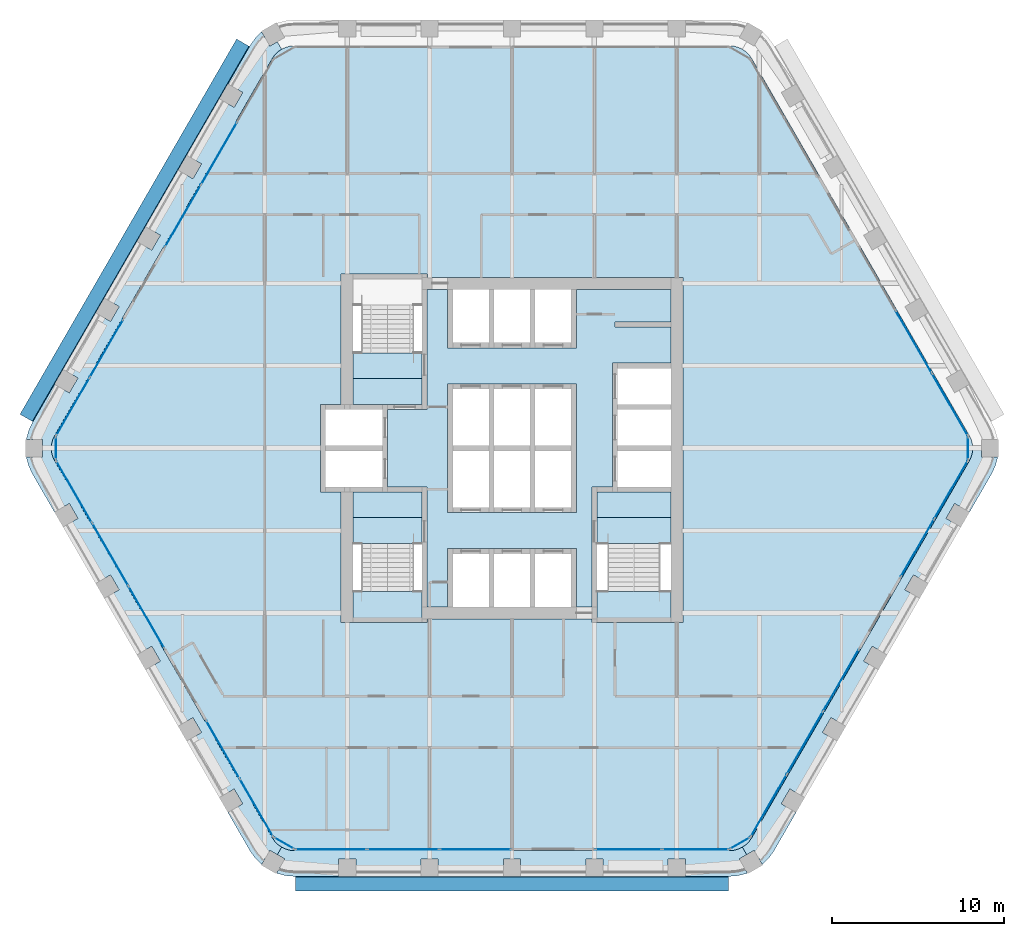
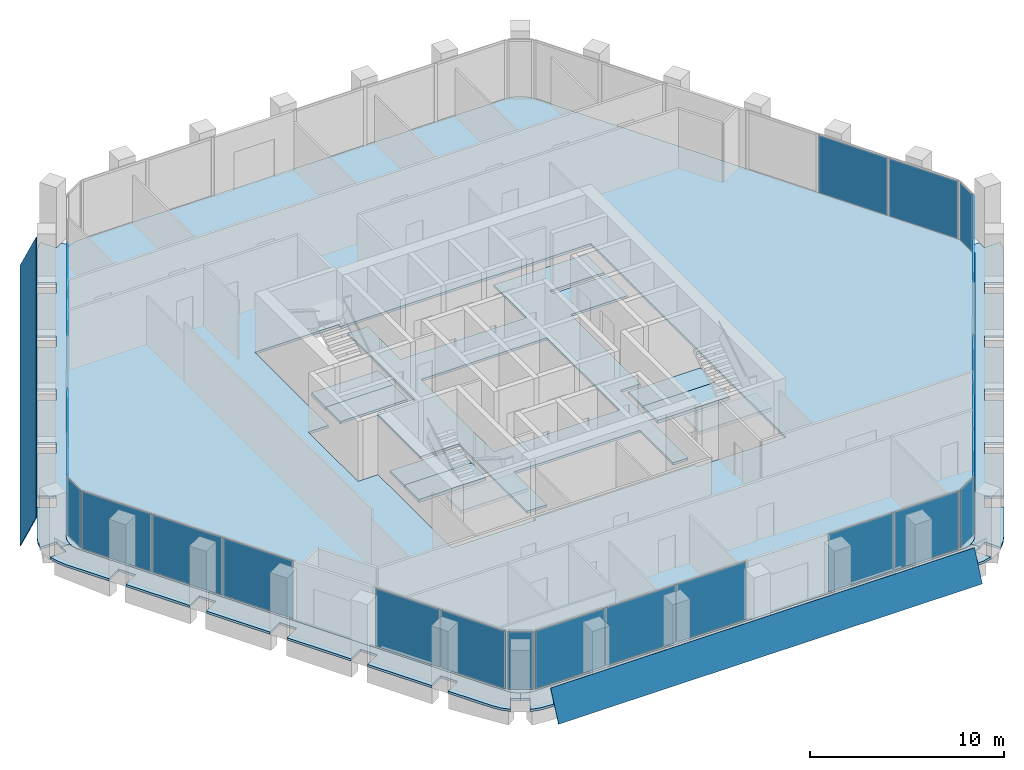
# One storey, part 7 of 15: 27 plates, 14 slabs, 16 elements without a shape of their own.
"""IFC4 building model written with IfcOpenShell, lengths in metres."""

from ifc_helpers import new_model, si_unit, direction, frame, origin, origin_2d, place, context, subcontext, project, spatial, polyline, rectangle, outline, extrude, material, layer, layer_set, type_object, element, aggregate, save


model = new_model("IFC4")

# Units and contexts
model_context = context("Model", 3, precision=1e-05, world=origin(), true_north=direction((0.0, 1.0)))
body_context = subcontext(model_context, "Body", "Model", "MODEL_VIEW")
ifc_project = project(units=[si_unit("LENGTHUNIT", "METRE"), si_unit("AREAUNIT", "SQUARE_METRE"), si_unit("VOLUMEUNIT", "CUBIC_METRE"), si_unit("PLANEANGLEUNIT", "RADIAN"), si_unit("MASSUNIT", "GRAM", prefix="KILO")], contexts=[model_context])

# Site, building, storey
site_placement = place(None, origin())
site = spatial("IfcSite", under=ifc_project, at=site_placement, CompositionType="ELEMENT")
building_placement = place(site_placement, origin())
building = spatial("IfcBuilding", under=site, at=building_placement, Name="Kolab Exchange Tower", CompositionType="ELEMENT")
storey_placement = place(building_placement, frame((0.0, 0.0, 201.199951171875)))
storey = spatial("IfcBuildingStorey", under=building, at=storey_placement, Name="L43", CompositionType="ELEMENT", Elevation=201.199951171875)

# Slabs
ifc_material_1 = material(Name="Concrete C35/45", Category="concrete")
ifc_layer_1 = layer(ifc_material_1, 0.14990234375)
ifc_layer_set_1 = layer_set([ifc_layer_1], Name="Concrete C35/45")
slab_type_1 = type_object("IfcSlabType", Name="FLOOR SLAB 150", PredefinedType="FLOOR", material=ifc_layer_set_1)
slab_1_placement = place(storey_placement, frame((0.0, 0.0, -0.14990234375)))
element("IfcSlab", 1, at=slab_1_placement, inside=storey, type_object=slab_type_1, Name="slab/L43/floor/0", PredefinedType="FLOOR", context=body_context, shape_type="SweptSolid", body=[
    extrude(outline(polyline([(13.967041015625, -22.691650390625), (26.635009765625, -0.75), (26.745361328125, -0.512939453125), (26.81298828125, -0.260498046875), (26.8359375, 0.0), (26.81298828125, 0.260498046875), (26.745361328125, 0.512939453125), (26.635009765625, 0.75), (13.967041015625, 22.691650390625), (13.81689453125, 22.90576171875), (13.632080078125, 23.090576171875), (13.41796875, 23.240478515625), (13.180908203125, 23.35107421875), (12.928466796875, 23.418701171875), (12.66796875, 23.441650390625), (-12.66796875, 23.441650390625), (-12.928466796875, 23.418701171875), (-13.180908203125, 23.35107421875), (-13.41796875, 23.240478515625), (-13.632080078125, 23.090576171875), (-13.81689453125, 22.90576171875), (-13.967041015625, 22.691650390625), (-26.635009765625, 0.75), (-26.745361328125, 0.512939453125), (-26.81298828125, 0.260498046875), (-26.8359375, 0.0), (-26.81298828125, -0.260498046875), (-26.745361328125, -0.512939453125), (-26.635009765625, -0.75), (-13.967041015625, -22.691650390625), (-13.81689453125, -22.90576171875), (-13.632080078125, -23.090576171875), (-13.41796875, -23.240478515625), (-13.180908203125, -23.35107421875), (-12.928466796875, -23.418701171875), (-12.66796875, -23.441650390625), (12.66796875, -23.441650390625), (12.928466796875, -23.418701171875), (13.180908203125, -23.35107421875), (13.41796875, -23.240478515625), (13.632080078125, -23.090576171875), (13.81689453125, -22.90576171875), (13.967041015625, -22.691650390625)]), holes=[polyline([(-9.25, -10.14990234375), (-9.949951171875, -10.14990234375), (-9.949951171875, -2.550048828125), (-10.85009765625, -2.550048828125), (-11.14990234375, -2.550048828125), (-11.14990234375, 2.550048828125), (-10.85009765625, 2.550048828125), (-9.949951171875, 2.550048828125), (-9.949951171875, 10.14990234375), (-9.25, 10.14990234375), (-5.25, 10.14990234375), (-4.949951171875, 10.14990234375), (-4.949951171875, 9.949951171875), (9.25, 9.949951171875), (9.949951171875, 9.949951171875), (9.949951171875, -10.14990234375), (9.25, -10.14990234375), (4.949951171875, -10.14990234375), (4.64990234375, -10.14990234375), (4.64990234375, -9.949951171875), (-4.949951171875, -9.949951171875), (-4.949951171875, -10.14990234375), (-5.25, -10.14990234375), (-9.25, -10.14990234375)])]), origin(), (0.0, 0.0, 1.0), 0.14990234375),
])
slab_2_placement = place(storey_placement, frame((0.0, 0.0, -0.14990234375)))
element("IfcSlab", 2, at=slab_2_placement, inside=storey, type_object=slab_type_1, Name="slab/L43/floor/1", PredefinedType="FLOOR", context=body_context, shape_type="SweptSolid", body=[
    extrude(outline(polyline([(-4.949951171875, 9.25), (-4.949951171875, 2.25), (-5.25, 2.25), (-7.25, 2.25), (-7.25, -2.25), (-5.25, -2.25), (-4.949951171875, -2.25), (-4.949951171875, -9.25), (-3.75, -9.25), (-3.75, -5.85009765625), (-3.449951171875, -5.85009765625), (-1.35009765625, -5.85009765625), (-1.050048828125, -5.85009765625), (1.050048828125, -5.85009765625), (1.35009765625, -5.85009765625), (3.449951171875, -5.85009765625), (3.75, -5.85009765625), (3.75, -9.25), (4.64990234375, -9.25), (4.64990234375, -2.25), (4.949951171875, -2.25), (5.85009765625, -2.25), (5.85009765625, 4.949951171875), (6.14990234375, 4.949951171875), (9.25, 4.949951171875), (9.25, 7.050048828125), (6.0, 7.050048828125), (6.0, 7.35009765625), (9.25, 7.35009765625), (9.25, 9.25), (3.75, 9.25), (3.75, 5.85009765625), (3.449951171875, 5.85009765625), (1.35009765625, 5.85009765625), (1.050048828125, 5.85009765625), (-1.050048828125, 5.85009765625), (-1.35009765625, 5.85009765625), (-3.449951171875, 5.85009765625), (-3.75, 5.85009765625), (-3.75, 9.25), (-4.949951171875, 9.25)]), holes=[polyline([(-3.449951171875, -3.75), (-3.75, -3.75), (-3.75, 3.75), (-3.449951171875, 3.75), (-1.35009765625, 3.75), (-1.050048828125, 3.75), (1.050048828125, 3.75), (1.35009765625, 3.75), (3.449951171875, 3.75), (3.75, 3.75), (3.75, -3.75), (3.449951171875, -3.75), (1.35009765625, -3.75), (1.050048828125, -3.75), (-1.050048828125, -3.75), (-1.35009765625, -3.75), (-3.449951171875, -3.75)])]), origin(), (0.0, 0.0, 1.0), 0.14990234375),
])
slab_3_placement = place(storey_placement, frame((0.0, 0.0, -0.14990234375)))
element("IfcSlab", 3, at=slab_3_placement, inside=storey, type_object=slab_type_1, Name="slab/L43/floor/2", PredefinedType="FLOOR", context=body_context, shape_type="SweptSolid", body=[
    extrude(outline(polyline([(4.949951171875, -4.050048828125), (9.25, -4.050048828125), (9.25, -2.550048828125), (6.14990234375, -2.550048828125), (5.85009765625, -2.550048828125), (4.949951171875, -2.550048828125), (4.949951171875, -4.050048828125)])), origin(), (0.0, 0.0, 1.0), 0.14990234375),
])
slab_4_placement = place(storey_placement, frame((0.0, 0.0, -0.14990234375)))
element("IfcSlab", 4, at=slab_4_placement, inside=storey, type_object=slab_type_1, Name="slab/L43/floor/3", PredefinedType="FLOOR", context=body_context, shape_type="SweptSolid", body=[
    extrude(outline(polyline([(-7.550048828125, -2.550048828125), (-9.25, -2.550048828125), (-9.25, -4.050048828125), (-5.25, -4.050048828125), (-5.25, -2.550048828125), (-7.25, -2.550048828125), (-7.550048828125, -2.550048828125)])), origin(), (0.0, 0.0, 1.0), 0.14990234375),
])
slab_5_placement = place(storey_placement, frame((0.0, 0.0, -0.14990234375)))
element("IfcSlab", 5, at=slab_5_placement, inside=storey, type_object=slab_type_1, Name="slab/L43/floor/4", PredefinedType="FLOOR", context=body_context, shape_type="SweptSolid", body=[
    extrude(outline(polyline([(-9.25, 2.550048828125), (-7.550048828125, 2.550048828125), (-7.25, 2.550048828125), (-5.25, 2.550048828125), (-5.25, 4.050048828125), (-9.25, 4.050048828125), (-9.25, 2.550048828125)])), origin(), (0.0, 0.0, 1.0), 0.14990234375),
])
ifc_layer_2 = layer(ifc_material_1, 0.14990234375)
ifc_layer_set_2 = layer_set([ifc_layer_2], Name="Concrete C35/45")
slab_type_2 = type_object("IfcSlabType", Name="LOGGIA SLAB 150", PredefinedType="FLOOR", material=ifc_layer_set_2)
slab_6_placement = place(storey_placement, frame((0.0, 0.0, -0.14990234375)))
element("IfcSlab", 6, at=slab_6_placement, inside=storey, type_object=slab_type_2, Name="slab/L43/loggia/2-0", PredefinedType="FLOOR", context=body_context, shape_type="SweptSolid", body=[
    extrude(outline(polyline([(15.26611328125, -23.441650390625), (16.550048828125, -21.217529296875), (15.68408203125, -20.717529296875), (16.18408203125, -19.8515625), (17.050048828125, -20.3515625), (18.949951171875, -17.060791015625), (18.083984375, -16.560791015625), (18.583984375, -15.694580078125), (19.449951171875, -16.194580078125), (21.35009765625, -12.90380859375), (20.48388671875, -12.40380859375), (20.98388671875, -11.537841796875), (21.85009765625, -12.037841796875), (23.75, -8.746826171875), (22.884033203125, -8.246826171875), (23.384033203125, -7.380859375), (24.25, -7.880859375), (26.14990234375, -4.58984375), (25.283935546875, -4.08984375), (25.783935546875, -3.223876953125), (26.64990234375, -3.723876953125), (27.93408203125, -1.5), (28.155029296875, -1.026123046875), (28.290283203125, -0.52099609375), (28.292236328125, -0.5), (27.3359375, -0.5), (27.3359375, 0.0), (26.8359375, 0.0), (26.81298828125, -0.260498046875), (26.745361328125, -0.512939453125), (26.635009765625, -0.75), (13.967041015625, -22.691650390625), (13.81689453125, -22.90576171875), (13.632080078125, -23.090576171875), (13.41796875, -23.240478515625), (13.66796875, -23.673583984375), (14.10107421875, -23.423583984375), (14.5791015625, -24.251708984375), (14.59619140625, -24.23974609375), (14.966064453125, -23.869873046875), (15.26611328125, -23.441650390625)])), origin(), (0.0, 0.0, 1.0), 0.14990234375),
])
slab_7_placement = place(storey_placement, frame((0.0, 0.0, -0.14990234375)))
element("IfcSlab", 7, at=slab_7_placement, inside=storey, type_object=slab_type_2, Name="slab/L43/loggia/3-0", PredefinedType="FLOOR", context=body_context, shape_type="SweptSolid", body=[
    extrude(outline(polyline([(-13.41796875, -23.240478515625), (-13.66796875, -23.673583984375), (-13.23486328125, -23.923583984375), (-13.713134765625, -24.751708984375), (-13.694091796875, -24.760498046875), (-13.18896484375, -24.89599609375), (-12.66796875, -24.941650390625), (-10.10009765625, -24.941650390625), (-10.10009765625, -23.941650390625), (-9.10009765625, -23.941650390625), (-9.10009765625, -24.941650390625), (-5.300048828125, -24.941650390625), (-5.300048828125, -23.941650390625), (-4.300048828125, -23.941650390625), (-4.300048828125, -24.941650390625), (-0.5, -24.941650390625), (-0.5, -23.941650390625), (0.5, -23.941650390625), (0.5, -24.941650390625), (4.300048828125, -24.941650390625), (4.300048828125, -23.941650390625), (5.300048828125, -23.941650390625), (5.300048828125, -24.941650390625), (9.10009765625, -24.941650390625), (9.10009765625, -23.941650390625), (10.10009765625, -23.941650390625), (10.10009765625, -24.941650390625), (12.66796875, -24.941650390625), (13.18896484375, -24.89599609375), (13.694091796875, -24.760498046875), (13.713134765625, -24.751708984375), (13.23486328125, -23.923583984375), (13.66796875, -23.673583984375), (13.41796875, -23.240478515625), (13.180908203125, -23.35107421875), (12.928466796875, -23.418701171875), (12.66796875, -23.441650390625), (-12.66796875, -23.441650390625), (-12.928466796875, -23.418701171875), (-13.180908203125, -23.35107421875), (-13.41796875, -23.240478515625)])), origin(), (0.0, 0.0, 1.0), 0.14990234375),
])
slab_8_placement = place(storey_placement, frame((0.0, 0.0, -0.14990234375)))
element("IfcSlab", 8, at=slab_8_placement, inside=storey, type_object=slab_type_2, Name="slab/L43/loggia/4-0", PredefinedType="FLOOR", context=body_context, shape_type="SweptSolid", body=[
    extrude(outline(polyline([(-26.8359375, 0.0), (-27.3359375, 0.0), (-27.3359375, -0.5), (-28.292236328125, -0.5), (-28.290283203125, -0.52099609375), (-28.155029296875, -1.026123046875), (-27.93408203125, -1.5), (-26.64990234375, -3.723876953125), (-25.783935546875, -3.223876953125), (-25.283935546875, -4.08984375), (-26.14990234375, -4.58984375), (-24.25, -7.880859375), (-23.384033203125, -7.380859375), (-22.884033203125, -8.246826171875), (-23.75, -8.746826171875), (-21.85009765625, -12.037841796875), (-20.98388671875, -11.537841796875), (-20.48388671875, -12.40380859375), (-21.35009765625, -12.90380859375), (-19.449951171875, -16.194580078125), (-18.583984375, -15.694580078125), (-18.083984375, -16.560791015625), (-18.949951171875, -17.060791015625), (-17.050048828125, -20.3515625), (-16.18408203125, -19.8515625), (-15.68408203125, -20.717529296875), (-16.550048828125, -21.217529296875), (-15.26611328125, -23.441650390625), (-14.966064453125, -23.869873046875), (-14.59619140625, -24.23974609375), (-14.5791015625, -24.251708984375), (-14.10107421875, -23.423583984375), (-13.66796875, -23.673583984375), (-13.41796875, -23.240478515625), (-13.632080078125, -23.090576171875), (-13.81689453125, -22.90576171875), (-13.967041015625, -22.691650390625), (-26.635009765625, -0.75), (-26.745361328125, -0.512939453125), (-26.81298828125, -0.260498046875), (-26.8359375, 0.0)])), origin(), (0.0, 0.0, 1.0), 0.14990234375),
])
slab_9_placement = place(storey_placement, frame((0.0, 0.0, -0.14990234375)))
element("IfcSlab", 9, at=slab_9_placement, inside=storey, type_object=slab_type_2, Name="slab/L43/loggia/5-0", PredefinedType="FLOOR", context=body_context, shape_type="SweptSolid", body=[
    extrude(outline(polyline([(-13.41796875, 23.240478515625), (-13.66796875, 23.673583984375), (-14.10107421875, 23.423583984375), (-14.5791015625, 24.251708984375), (-14.59619140625, 24.23974609375), (-14.966064453125, 23.869873046875), (-15.26611328125, 23.441650390625), (-16.550048828125, 21.217529296875), (-15.68408203125, 20.717529296875), (-16.18408203125, 19.8515625), (-17.050048828125, 20.3515625), (-18.949951171875, 17.060791015625), (-18.083984375, 16.560791015625), (-18.583984375, 15.694580078125), (-19.449951171875, 16.194580078125), (-21.35009765625, 12.90380859375), (-20.48388671875, 12.40380859375), (-20.98388671875, 11.537841796875), (-21.85009765625, 12.037841796875), (-23.75, 8.746826171875), (-22.884033203125, 8.246826171875), (-23.384033203125, 7.380859375), (-24.25, 7.880859375), (-26.14990234375, 4.58984375), (-25.283935546875, 4.08984375), (-25.783935546875, 3.223876953125), (-26.64990234375, 3.723876953125), (-27.93408203125, 1.5), (-28.155029296875, 1.026123046875), (-28.290283203125, 0.52099609375), (-28.292236328125, 0.5), (-27.3359375, 0.5), (-27.3359375, 0.0), (-26.8359375, 0.0), (-26.81298828125, 0.260498046875), (-26.745361328125, 0.512939453125), (-26.635009765625, 0.75), (-13.967041015625, 22.691650390625), (-13.81689453125, 22.90576171875), (-13.632080078125, 23.090576171875), (-13.41796875, 23.240478515625)])), origin(), (0.0, 0.0, 1.0), 0.14990234375),
])

# Plates
ifc_material_2 = material(Name="Laminated glass, clear", Category="glass")
ifc_layer_3 = layer(ifc_material_2, 0.0400390625)
ifc_layer_set_3 = layer_set([ifc_layer_3], Name="Laminated glass, clear")
plate_type_1 = type_object("IfcPlateType", Name="OUTER SKIN LAMINATED GLASS SHEET 40", PredefinedType="SHEET", material=ifc_layer_set_3)
plate_1_placement = place(storey_placement, frame((12.617919921875, -25.806640625, -0.68310546875), z_axis=(0.0, -0.906316657655, 0.422599238118), x_axis=(-1.0, 0.0, 0.0)))
element("IfcPlate", 10, at=plate_1_placement, inside=storey, type_object=plate_type_1, Name="Outer skin", PredefinedType="SHEET", context=body_context, shape_type="SweptSolid", body=[
    extrude(outline(polyline([(0.0, 0.0), (25.23583984375, 0.0), (25.23583984375, -1.961332030711248), (0.0, -1.961332030711248), (0.0, 0.0)])), origin(), (0.0, 0.0, -1.0), 0.0400390625),
])
plate_2_placement = place(storey_placement, frame((-28.658203125, 1.975830078125, -0.68310546875), z_axis=(-0.784898656704, 0.453161865271, 0.422585402693), x_axis=(0.499999968995, 0.866025421685, -9.26315e-07)))
element("IfcPlate", 11, at=plate_2_placement, inside=storey, type_object=plate_type_1, Name="Outer skin", PredefinedType="SHEET", context=body_context, shape_type="SweptSolid", body=[
    extrude(outline(polyline([(0.0, 0.0), (25.23592824607872, 0.0), (25.23580178082614, -1.96134386267648), (8.496673513263058e-05, -1.9612922777250188), (0.0, 0.0)])), origin(), (0.0, 0.0, -1.0), 0.0400390625),
])

# Stair, slab
ifc_material_3 = material(Name="Concrete C50/60", Category="concrete")
stair_type_1 = type_object("IfcStairType", Name="STAIR ST1 RISER 177.3", PredefinedType="HALF_TURN_STAIR", material=ifc_material_3)
stair_1_placement = place(storey_placement, origin())
stair_1 = element("IfcStair", 12, at=stair_1_placement, inside=storey, type_object=stair_type_1, Name="Stair 1", PredefinedType="HALF_TURN_STAIR")
ifc_layer_4 = layer(ifc_material_3, 0.199951171875)
ifc_layer_set_4 = layer_set([ifc_layer_4], Name="Concrete C50/60")
slab_type_3 = type_object("IfcSlabType", Name="STAIR LANDING 200", PredefinedType="LANDING", material=ifc_layer_set_4)
slab_10_placement = place(storey_placement, frame((0.0, 0.0, -0.199951171875)))
slab_10 = element("IfcSlab", 13, at=slab_10_placement, type_object=slab_type_3, Name="ST1 landing 1", PredefinedType="LANDING", context=body_context, shape_type="SweptSolid", body=[
    extrude(outline(polyline([(-9.25, 4.050048828125), (-5.25, 4.050048828125), (-5.25, 5.550048828125), (-9.25, 5.550048828125), (-9.25, 4.050048828125)])), origin(), (0.0, 0.0, 1.0), 0.199951171875),
])
aggregate(stair_1, [slab_10])

# Stair, slabs
stair_type_2 = type_object("IfcStairType", Name="STAIR ST3 RISER 177.3", PredefinedType="HALF_TURN_STAIR", material=ifc_material_3)
stair_2_placement = place(storey_placement, origin())
stair_2 = element("IfcStair", 14, at=stair_2_placement, inside=storey, type_object=stair_type_2, Name="Stair 3", PredefinedType="HALF_TURN_STAIR")
slab_11_placement = place(storey_placement, frame((0.0, 0.0, -0.199951171875)))
slab_11 = element("IfcSlab", 15, at=slab_11_placement, type_object=slab_type_3, Name="ST3 landing 1", PredefinedType="LANDING", context=body_context, shape_type="SweptSolid", body=[
    extrude(outline(polyline([(-9.25, -5.550048828125), (-5.25, -5.550048828125), (-5.25, -4.050048828125), (-9.25, -4.050048828125), (-9.25, -5.550048828125)])), origin(), (0.0, 0.0, 1.0), 0.199951171875),
])
slab_12_placement = place(storey_placement, frame((0.0, 0.0, 1.75)))
slab_12 = element("IfcSlab", 16, at=slab_12_placement, type_object=slab_type_3, Name="ST3 landing 2", PredefinedType="LANDING", context=body_context, shape_type="SweptSolid", body=[
    extrude(outline(polyline([(-9.25, -9.909912109375), (-5.25, -9.909912109375), (-5.25, -8.35009765625), (-9.25, -8.35009765625), (-9.25, -9.909912109375)])), origin(), (0.0, 0.0, 1.0), 0.199951171875),
])
aggregate(stair_2, [slab_11, slab_12])

stair_type_3 = type_object("IfcStairType", Name="STAIR ST2 RISER 177.3", PredefinedType="HALF_TURN_STAIR", material=ifc_material_3)
stair_3_placement = place(storey_placement, origin())
stair_3 = element("IfcStair", 17, at=stair_3_placement, inside=storey, type_object=stair_type_3, Name="Stair 2", PredefinedType="HALF_TURN_STAIR")
slab_13_placement = place(storey_placement, frame((0.0, 0.0, -0.199951171875)))
slab_13 = element("IfcSlab", 18, at=slab_13_placement, type_object=slab_type_3, Name="ST2 landing 1", PredefinedType="LANDING", context=body_context, shape_type="SweptSolid", body=[
    extrude(outline(polyline([(4.949951171875, -5.550048828125), (9.25, -5.550048828125), (9.25, -4.050048828125), (4.949951171875, -4.050048828125), (4.949951171875, -5.550048828125)])), origin(), (0.0, 0.0, 1.0), 0.199951171875),
])
slab_14_placement = place(storey_placement, frame((0.0, 0.0, 1.75)))
slab_14 = element("IfcSlab", 19, at=slab_14_placement, type_object=slab_type_3, Name="ST2 landing 2", PredefinedType="LANDING", context=body_context, shape_type="SweptSolid", body=[
    extrude(outline(polyline([(4.949951171875, -9.909912109375), (9.25, -9.909912109375), (9.25, -8.35009765625), (4.949951171875, -8.35009765625), (4.949951171875, -9.909912109375)])), origin(), (0.0, 0.0, 1.0), 0.199951171875),
])
aggregate(stair_3, [slab_13, slab_14])

# Curtain wall, plates
ifc_material_4 = material(Name="Aluminium EN AW-6063 T6", Category="aluminium")
curtain_wall_type = type_object("IfcCurtainWallType", Name="UNITISED UPPER MID ZONE CURTAIN WALL", PredefinedType="NOTDEFINED", material=ifc_material_4)
curtain_wall_1_placement = place(storey_placement, origin())
curtain_wall_1 = element("IfcCurtainWall", 20, at=curtain_wall_1_placement, inside=storey, type_object=curtain_wall_type, Name="cw/L43/F2-2", PredefinedType="NOTDEFINED")
ifc_material_5 = material(Name="Clear insulated glazing unit", Category="glass")
ifc_layer_5 = layer(ifc_material_5, 0.028076171875)
ifc_layer_set_5 = layer_set([ifc_layer_5], Name="Clear insulated glazing unit")
plate_type_2 = type_object("IfcPlateType", Name="UNITISED UPPER MID ZONE GLASS PANEL 28", PredefinedType="CURTAIN_PANEL", material=ifc_layer_set_5)
plate_3_placement = place(storey_placement, frame((23.398681640625, 6.1953125, 0.06005859375), z_axis=(0.0, 0.0, 1.0), x_axis=(0.499999958358, -0.866025427826, 0.0)))
plate_3 = element("IfcPlate", 21, at=plate_3_placement, type_object=plate_type_2, Name="CW3 panel 2.1", PredefinedType="CURTAIN_PANEL", context=body_context, shape_type="SweptSolid", body=[
    extrude(rectangle(XDim=4.16259765625, YDim=0.028076171875, at=origin_2d()), origin(), (0.0, 0.0, 1.0), 3.6298828125),
])
plate_4_placement = place(storey_placement, frame((25.50244140625, 2.551513671875, 0.06005859375), z_axis=(0.0, 0.0, 1.0), x_axis=(0.499999958358, -0.866025427826, 0.0)))
plate_4 = element("IfcPlate", 22, at=plate_4_placement, type_object=plate_type_2, Name="CW3 panel 3.1", PredefinedType="CURTAIN_PANEL", context=body_context, shape_type="SweptSolid", body=[
    extrude(rectangle(XDim=4.132568359375, YDim=0.028076171875, at=origin_2d()), origin(), (0.0, 0.0, 1.0), 3.6298828125),
])
aggregate(curtain_wall_1, [plate_3, plate_4])

curtain_wall_2_placement = place(storey_placement, origin())
curtain_wall_2 = element("IfcCurtainWall", 23, at=curtain_wall_2_placement, inside=storey, type_object=curtain_wall_type, Name="cw/L43/F3-1", PredefinedType="NOTDEFINED")
plate_5_placement = place(storey_placement, frame((25.57470703125, -2.426513671875, 0.06005859375), z_axis=(0.0, 0.0, 1.0), x_axis=(-0.499999936366, -0.866025440524, 0.0)))
plate_5 = element("IfcPlate", 24, at=plate_5_placement, type_object=plate_type_2, Name="CW3 panel 1.1", PredefinedType="CURTAIN_PANEL", context=body_context, shape_type="SweptSolid", body=[
    extrude(rectangle(XDim=3.843994140625, YDim=0.028076171875, at=origin_2d()), origin(), (0.0, 0.0, 1.0), 3.6298828125),
])
plate_6_placement = place(storey_placement, frame((23.62255859375, -5.807373046875, 0.06005859375), z_axis=(0.0, 0.0, 1.0), x_axis=(-0.499999936366, -0.866025440524, 0.0)))
plate_6 = element("IfcPlate", 25, at=plate_6_placement, type_object=plate_type_2, Name="CW3 panel 2.1", PredefinedType="CURTAIN_PANEL", context=body_context, shape_type="SweptSolid", body=[
    extrude(rectangle(XDim=3.843994140625, YDim=0.028076171875, at=origin_2d()), origin(), (0.0, 0.0, 1.0), 3.6298828125),
])
aggregate(curtain_wall_2, [plate_5, plate_6])

curtain_wall_3_placement = place(storey_placement, origin())
curtain_wall_3 = element("IfcCurtainWall", 26, at=curtain_wall_3_placement, inside=storey, type_object=curtain_wall_type, Name="cw/L43/F3-2", PredefinedType="NOTDEFINED")
plate_7_placement = place(storey_placement, frame((19.16845703125, -13.522216796875, 0.06005859375), z_axis=(0.0, 0.0, 1.0), x_axis=(-0.500000017564, -0.866025393644, 0.0)))
plate_7 = element("IfcPlate", 27, at=plate_7_placement, type_object=plate_type_2, Name="CW3 panel 1.1", PredefinedType="CURTAIN_PANEL", context=body_context, shape_type="SweptSolid", body=[
    extrude(rectangle(XDim=4.132568359375, YDim=0.028076171875, at=origin_2d()), origin(), (0.0, 0.0, 1.0), 3.6298828125),
])
plate_8_placement = place(storey_placement, frame((17.064697265625, -17.166259765625, 0.06005859375), z_axis=(0.0, 0.0, 1.0), x_axis=(-0.500000017564, -0.866025393644, 0.0)))
plate_8 = element("IfcPlate", 28, at=plate_8_placement, type_object=plate_type_2, Name="CW3 panel 2.1", PredefinedType="CURTAIN_PANEL", context=body_context, shape_type="SweptSolid", body=[
    extrude(rectangle(XDim=4.16259765625, YDim=0.028076171875, at=origin_2d()), origin(), (0.0, 0.0, 1.0), 3.6298828125),
])
plate_9_placement = place(storey_placement, frame((14.9609375, -20.81005859375, 0.06005859375), z_axis=(0.0, 0.0, 1.0), x_axis=(-0.500000017564, -0.866025393644, 0.0)))
plate_9 = element("IfcPlate", 29, at=plate_9_placement, type_object=plate_type_2, Name="CW3 panel 3.1", PredefinedType="CURTAIN_PANEL", context=body_context, shape_type="SweptSolid", body=[
    extrude(rectangle(XDim=4.132568359375, YDim=0.028076171875, at=origin_2d()), origin(), (0.0, 0.0, 1.0), 3.6298828125),
])
aggregate(curtain_wall_3, [plate_7, plate_8, plate_9])

curtain_wall_4_placement = place(storey_placement, origin())
curtain_wall_4 = element("IfcCurtainWall", 30, at=curtain_wall_4_placement, inside=storey, type_object=curtain_wall_type, Name="cw/L43/F4-1", PredefinedType="NOTDEFINED")
plate_10_placement = place(storey_placement, frame((10.68603515625, -23.361572265625, 0.06005859375), z_axis=(0.0, 0.0, 1.0), x_axis=(-1.0, 0.0, 0.0)))
plate_10 = element("IfcPlate", 31, at=plate_10_placement, type_object=plate_type_2, Name="CW3 panel 1.1", PredefinedType="CURTAIN_PANEL", context=body_context, shape_type="SweptSolid", body=[
    extrude(rectangle(XDim=3.843994140625, YDim=0.028076171875, at=origin_2d()), origin(), (0.0, 0.0, 1.0), 3.6298828125),
])
plate_11_placement = place(storey_placement, frame((6.781982421875, -23.361572265625, 0.06005859375), z_axis=(0.0, 0.0, 1.0), x_axis=(-1.0, 0.0, 0.0)))
plate_11 = element("IfcPlate", 32, at=plate_11_placement, type_object=plate_type_2, Name="CW3 panel 2.1", PredefinedType="CURTAIN_PANEL", context=body_context, shape_type="SweptSolid", body=[
    extrude(rectangle(XDim=3.843994140625, YDim=0.028076171875, at=origin_2d()), origin(), (0.0, 0.0, 1.0), 3.6298828125),
])
aggregate(curtain_wall_4, [plate_10, plate_11])

curtain_wall_5_placement = place(storey_placement, origin())
curtain_wall_5 = element("IfcCurtainWall", 33, at=curtain_wall_5_placement, inside=storey, type_object=curtain_wall_type, Name="cw/L43/F4-2", PredefinedType="NOTDEFINED")
plate_12_placement = place(storey_placement, frame((-2.126220703125, -23.361572265625, 0.06005859375), z_axis=(0.0, 0.0, 1.0), x_axis=(-1.0, 0.0, 0.0)))
plate_12 = element("IfcPlate", 34, at=plate_12_placement, type_object=plate_type_2, Name="CW3 panel 1.1", PredefinedType="CURTAIN_PANEL", context=body_context, shape_type="SweptSolid", body=[
    extrude(rectangle(XDim=4.132568359375, YDim=0.028076171875, at=origin_2d()), origin(), (0.0, 0.0, 1.0), 3.6298828125),
])
plate_13_placement = place(storey_placement, frame((-6.333984375, -23.361572265625, 0.06005859375), z_axis=(0.0, 0.0, 1.0), x_axis=(-1.0, 0.0, 0.0)))
plate_13 = element("IfcPlate", 35, at=plate_13_placement, type_object=plate_type_2, Name="CW3 panel 2.1", PredefinedType="CURTAIN_PANEL", context=body_context, shape_type="SweptSolid", body=[
    extrude(rectangle(XDim=4.16259765625, YDim=0.028076171875, at=origin_2d()), origin(), (0.0, 0.0, 1.0), 3.6298828125),
])
plate_14_placement = place(storey_placement, frame((-10.54150390625, -23.361572265625, 0.06005859375), z_axis=(0.0, 0.0, 1.0), x_axis=(-1.0, 0.0, 0.0)))
plate_14 = element("IfcPlate", 36, at=plate_14_placement, type_object=plate_type_2, Name="CW3 panel 3.1", PredefinedType="CURTAIN_PANEL", context=body_context, shape_type="SweptSolid", body=[
    extrude(rectangle(XDim=4.132568359375, YDim=0.028076171875, at=origin_2d()), origin(), (0.0, 0.0, 1.0), 3.6298828125),
])
aggregate(curtain_wall_5, [plate_12, plate_13, plate_14])

curtain_wall_6_placement = place(storey_placement, origin())
curtain_wall_6 = element("IfcCurtainWall", 37, at=curtain_wall_6_placement, inside=storey, type_object=curtain_wall_type, Name="cw/L43/F5-1", PredefinedType="NOTDEFINED")
plate_15_placement = place(storey_placement, frame((-14.888671875, -20.93505859375, 0.06005859375), z_axis=(0.0, 0.0, 1.0), x_axis=(-0.500000031681, 0.866025385493, 0.0)))
plate_15 = element("IfcPlate", 38, at=plate_15_placement, type_object=plate_type_2, Name="CW3 panel 1.1", PredefinedType="CURTAIN_PANEL", context=body_context, shape_type="SweptSolid", body=[
    extrude(rectangle(XDim=3.843994140625, YDim=0.028076171875, at=origin_2d()), origin(), (0.0, 0.0, 1.0), 3.6298828125),
])
plate_16_placement = place(storey_placement, frame((-16.840576171875, -17.55419921875, 0.06005859375), z_axis=(0.0, 0.0, 1.0), x_axis=(-0.500000031681, 0.866025385493, 0.0)))
plate_16 = element("IfcPlate", 39, at=plate_16_placement, type_object=plate_type_2, Name="CW3 panel 2.1", PredefinedType="CURTAIN_PANEL", context=body_context, shape_type="SweptSolid", body=[
    extrude(rectangle(XDim=3.843994140625, YDim=0.028076171875, at=origin_2d()), origin(), (0.0, 0.0, 1.0), 3.6298828125),
])
aggregate(curtain_wall_6, [plate_15, plate_16])

curtain_wall_7_placement = place(storey_placement, origin())
curtain_wall_7 = element("IfcCurtainWall", 40, at=curtain_wall_7_placement, inside=storey, type_object=curtain_wall_type, Name="cw/L43/F5-2", PredefinedType="NOTDEFINED")
plate_17_placement = place(storey_placement, frame((-21.294921875, -9.83935546875, 0.06005859375), z_axis=(0.0, 0.0, 1.0), x_axis=(-0.499999958358, 0.866025427826, 0.0)))
plate_17 = element("IfcPlate", 41, at=plate_17_placement, type_object=plate_type_2, Name="CW3 panel 1.1", PredefinedType="CURTAIN_PANEL", context=body_context, shape_type="SweptSolid", body=[
    extrude(rectangle(XDim=4.132568359375, YDim=0.028076171875, at=origin_2d()), origin(), (0.0, 0.0, 1.0), 3.6298828125),
])
plate_18_placement = place(storey_placement, frame((-23.398681640625, -6.1953125, 0.06005859375), z_axis=(0.0, 0.0, 1.0), x_axis=(-0.499999958358, 0.866025427826, 0.0)))
plate_18 = element("IfcPlate", 42, at=plate_18_placement, type_object=plate_type_2, Name="CW3 panel 2.1", PredefinedType="CURTAIN_PANEL", context=body_context, shape_type="SweptSolid", body=[
    extrude(rectangle(XDim=4.16259765625, YDim=0.028076171875, at=origin_2d()), origin(), (0.0, 0.0, 1.0), 3.6298828125),
])
plate_19_placement = place(storey_placement, frame((-25.50244140625, -2.551513671875, 0.06005859375), z_axis=(0.0, 0.0, 1.0), x_axis=(-0.499999958358, 0.866025427826, 0.0)))
plate_19 = element("IfcPlate", 43, at=plate_19_placement, type_object=plate_type_2, Name="CW3 panel 3.1", PredefinedType="CURTAIN_PANEL", context=body_context, shape_type="SweptSolid", body=[
    extrude(rectangle(XDim=4.132568359375, YDim=0.028076171875, at=origin_2d()), origin(), (0.0, 0.0, 1.0), 3.6298828125),
])
aggregate(curtain_wall_7, [plate_17, plate_18, plate_19])

curtain_wall_8_placement = place(storey_placement, origin())
curtain_wall_8 = element("IfcCurtainWall", 44, at=curtain_wall_8_placement, inside=storey, type_object=curtain_wall_type, Name="cw/L43/F6-1", PredefinedType="NOTDEFINED")
plate_20_placement = place(storey_placement, frame((-25.57470703125, 2.426513671875, 0.06005859375), z_axis=(0.0, 0.0, 1.0), x_axis=(0.499999936366, 0.866025440524, 0.0)))
plate_20 = element("IfcPlate", 45, at=plate_20_placement, type_object=plate_type_2, Name="CW3 panel 1.1", PredefinedType="CURTAIN_PANEL", context=body_context, shape_type="SweptSolid", body=[
    extrude(rectangle(XDim=3.843994140625, YDim=0.028076171875, at=origin_2d()), origin(), (0.0, 0.0, 1.0), 3.6298828125),
])
plate_21_placement = place(storey_placement, frame((-23.62255859375, 5.807373046875, 0.06005859375), z_axis=(0.0, 0.0, 1.0), x_axis=(0.499999936366, 0.866025440524, 0.0)))
plate_21 = element("IfcPlate", 46, at=plate_21_placement, type_object=plate_type_2, Name="CW3 panel 2.1", PredefinedType="CURTAIN_PANEL", context=body_context, shape_type="SweptSolid", body=[
    extrude(rectangle(XDim=3.843994140625, YDim=0.028076171875, at=origin_2d()), origin(), (0.0, 0.0, 1.0), 3.6298828125),
])
aggregate(curtain_wall_8, [plate_20, plate_21])

curtain_wall_9_placement = place(storey_placement, origin())
curtain_wall_9 = element("IfcCurtainWall", 47, at=curtain_wall_9_placement, inside=storey, type_object=curtain_wall_type, Name="cw/L43/F6-2", PredefinedType="NOTDEFINED")
plate_22_placement = place(storey_placement, frame((-19.16845703125, 13.522216796875, 0.06005859375), z_axis=(0.0, 0.0, 1.0), x_axis=(0.500000017564, 0.866025393644, 0.0)))
plate_22 = element("IfcPlate", 48, at=plate_22_placement, type_object=plate_type_2, Name="CW3 panel 1.1", PredefinedType="CURTAIN_PANEL", context=body_context, shape_type="SweptSolid", body=[
    extrude(rectangle(XDim=4.132568359375, YDim=0.028076171875, at=origin_2d()), origin(), (0.0, 0.0, 1.0), 3.6298828125),
])
plate_23_placement = place(storey_placement, frame((-17.064697265625, 17.166259765625, 0.06005859375), z_axis=(0.0, 0.0, 1.0), x_axis=(0.500000017564, 0.866025393644, 0.0)))
plate_23 = element("IfcPlate", 49, at=plate_23_placement, type_object=plate_type_2, Name="CW3 panel 2.1", PredefinedType="CURTAIN_PANEL", context=body_context, shape_type="SweptSolid", body=[
    extrude(rectangle(XDim=4.16259765625, YDim=0.028076171875, at=origin_2d()), origin(), (0.0, 0.0, 1.0), 3.6298828125),
])
aggregate(curtain_wall_9, [plate_22, plate_23])

# Curtain wall, plate
curtain_wall_10_placement = place(storey_placement, origin())
curtain_wall_10 = element("IfcCurtainWall", 50, at=curtain_wall_10_placement, inside=storey, type_object=curtain_wall_type, Name="cw/L43/F2F3-corner", PredefinedType="NOTDEFINED")
plate_24_placement = place(storey_placement, frame((26.565673828125, 0.0, 0.06005859375), z_axis=(0.0, 0.0, 1.0), x_axis=(0.0, -1.0, 0.0)))
plate_24 = element("IfcPlate", 51, at=plate_24_placement, type_object=plate_type_2, Name="CW3 panel 1.1", PredefinedType="CURTAIN_PANEL", context=body_context, shape_type="SweptSolid", body=[
    extrude(rectangle(XDim=1.300048828125, YDim=0.028076171875, at=origin_2d()), origin(), (0.0, 0.0, 1.0), 3.6298828125),
])
aggregate(curtain_wall_10, [plate_24])

curtain_wall_11_placement = place(storey_placement, origin())
curtain_wall_11 = element("IfcCurtainWall", 52, at=curtain_wall_11_placement, inside=storey, type_object=curtain_wall_type, Name="cw/L43/F3F4-corner", PredefinedType="NOTDEFINED")
plate_25_placement = place(storey_placement, frame((13.28271484375, -23.006591796875, 0.06005859375), z_axis=(0.0, 0.0, 1.0), x_axis=(-0.866025390869, -0.50000002237, 0.0)))
plate_25 = element("IfcPlate", 53, at=plate_25_placement, type_object=plate_type_2, Name="CW3 panel 1.1", PredefinedType="CURTAIN_PANEL", context=body_context, shape_type="SweptSolid", body=[
    extrude(rectangle(XDim=1.300048828125, YDim=0.028076171875, at=origin_2d()), origin(), (0.0, 0.0, 1.0), 3.6298828125),
])
aggregate(curtain_wall_11, [plate_25])

curtain_wall_12_placement = place(storey_placement, origin())
curtain_wall_12 = element("IfcCurtainWall", 54, at=curtain_wall_12_placement, inside=storey, type_object=curtain_wall_type, Name="cw/L43/F4F5-corner", PredefinedType="NOTDEFINED")
plate_26_placement = place(storey_placement, frame((-13.28271484375, -23.006591796875, 0.06005859375), z_axis=(0.0, 0.0, 1.0), x_axis=(-0.866025390869, 0.50000002237, 0.0)))
plate_26 = element("IfcPlate", 55, at=plate_26_placement, type_object=plate_type_2, Name="CW3 panel 1.1", PredefinedType="CURTAIN_PANEL", context=body_context, shape_type="SweptSolid", body=[
    extrude(rectangle(XDim=1.300048828125, YDim=0.028076171875, at=origin_2d()), origin(), (0.0, 0.0, 1.0), 3.6298828125),
])
aggregate(curtain_wall_12, [plate_26])

curtain_wall_13_placement = place(storey_placement, origin())
curtain_wall_13 = element("IfcCurtainWall", 56, at=curtain_wall_13_placement, inside=storey, type_object=curtain_wall_type, Name="cw/L43/F5F6-corner", PredefinedType="NOTDEFINED")
plate_27_placement = place(storey_placement, frame((-26.565673828125, 0.0, 0.06005859375), z_axis=(0.0, 0.0, 1.0), x_axis=(0.0, 1.0, 0.0)))
plate_27 = element("IfcPlate", 57, at=plate_27_placement, type_object=plate_type_2, Name="CW3 panel 1.1", PredefinedType="CURTAIN_PANEL", context=body_context, shape_type="SweptSolid", body=[
    extrude(rectangle(XDim=1.300048828125, YDim=0.028076171875, at=origin_2d()), origin(), (0.0, 0.0, 1.0), 3.6298828125),
])
aggregate(curtain_wall_13, [plate_27])

save(model, "model.ifc")
